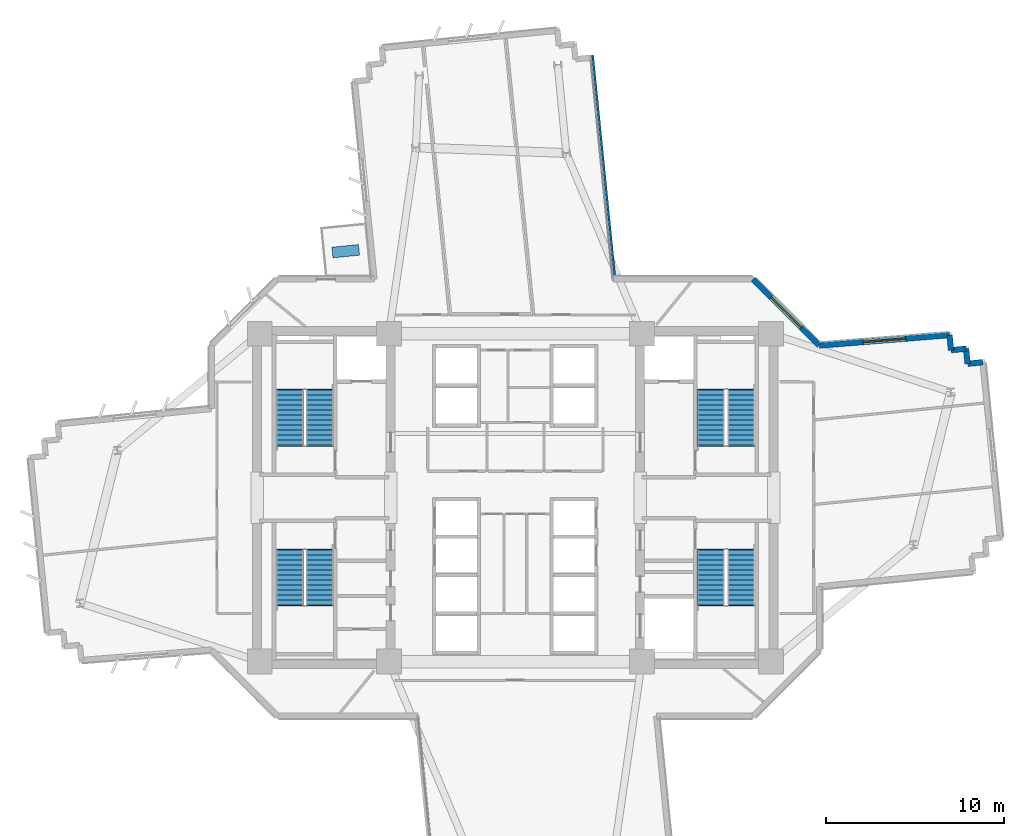
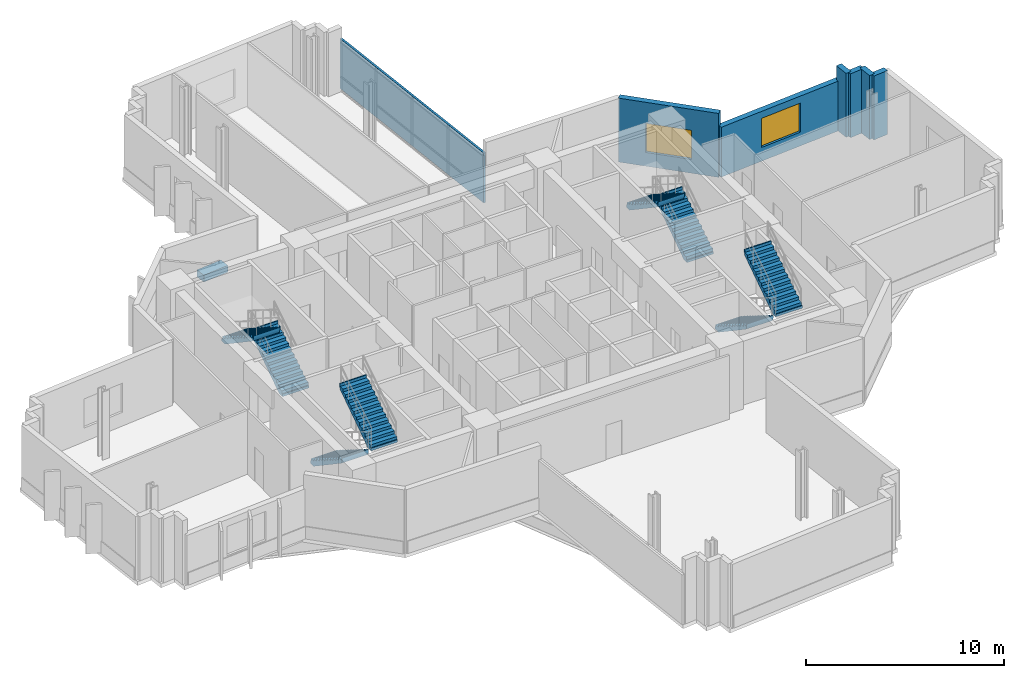
# One storey, part 10 of 14: 8 stair flights, 7 walls, 2 windows, 1 discrete accessory, 2 openings, 4 elements without a shape of their own.
"""IFC4 building model written with IfcOpenShell, lengths in metres."""

import ifcopenshell
import ifcopenshell.guid

model = None  # the IFC model being written
_history = None  # IfcOwnerHistory: only IFC2X3 demands one
_inside = {}  # id of a spatial element -> (the spatial element, [elements in it])
_under = {}  # id of a project, library or spatial element -> (it, [spatial elements below it])
_declared = {}  # id of a project -> (the project, [libraries it declares])
_typed = {}  # id of a type object -> (the type object, [elements of that type])
_made_of = {}  # id of a material, layer set ... -> (it, [elements and type objects made of it])


def new_model(schema):
    """Start an empty IFC model of exactly this schema.

    Asked for "IFC4X3", IfcOpenShell would pick the latest addendum, in which some entities
    have other attributes; the version numbers below select the first issue.
    IFC2X3 requires an IfcOwnerHistory on every rooted entity: one is made here for all.
    """
    global model, _history
    if schema == "IFC4X3":
        model = ifcopenshell.file(schema_version=(4, 3, 0, 0))
    else:
        model = ifcopenshell.file(schema=schema)
    _inside.clear()
    _under.clear()
    _declared.clear()
    _typed.clear()
    _made_of.clear()
    _history = None
    if model.schema == "IFC2X3":
        org = make("IfcOrganization", Name="unknown")
        user = make(
            "IfcPersonAndOrganization",
            ThePerson=make("IfcPerson", FamilyName="unknown"),
            TheOrganization=org,
        )
        app = make(
            "IfcApplication",
            ApplicationDeveloper=org,
            Version="unknown",
            ApplicationFullName="unknown",
            ApplicationIdentifier="unknown",
        )
        _history = make(
            "IfcOwnerHistory",
            OwningUser=user,
            OwningApplication=app,
            ChangeAction="ADDED",
            CreationDate=0,
        )
    return model


def make(cls, **values):
    """One entity of the class cls with the attributes given. An attribute that is None is left unset."""
    return model.create_entity(
        cls, **{name: value for name, value in values.items() if value is not None}
    )


def rooted(cls, **values):
    """An entity with a GlobalId (a new one), such as an element, a storey or a relation."""
    return make(cls, GlobalId=ifcopenshell.guid.new(), OwnerHistory=_history, **values)


def si_unit(unit_type, name, prefix=None):
    """IfcSIUnit, for example si_unit("LENGTHUNIT", "METRE", prefix="MILLI")."""
    return make("IfcSIUnit", UnitType=unit_type, Prefix=prefix, Name=name)


def assignment(units):
    """IfcUnitAssignment: the units of a project."""
    return None if units is None else make("IfcUnitAssignment", Units=units)


def point(xyz):
    """IfcCartesianPoint."""
    return None if xyz is None else make("IfcCartesianPoint", Coordinates=xyz)


def direction(xyz):
    """IfcDirection."""
    return None if xyz is None else make("IfcDirection", DirectionRatios=xyz)


def frame(location, z_axis=None, x_axis=None):
    """IfcAxis2Placement3D, a coordinate frame: its origin and axes. An axis left out is left unset."""
    return make(
        "IfcAxis2Placement3D",
        Location=point(location),
        Axis=direction(z_axis),
        RefDirection=direction(x_axis),
    )


def frame_2d(location, x_axis=None):
    """IfcAxis2Placement2D, a coordinate frame in the plane: its origin and x axis."""
    return make(
        "IfcAxis2Placement2D", Location=point(location), RefDirection=direction(x_axis)
    )


def origin():
    """The frame at (0, 0, 0) with its axes left unset."""
    return frame((0.0, 0.0, 0.0))


def origin_2d():
    """The frame at (0, 0) in the plane with its x axis left unset."""
    return frame_2d((0.0, 0.0))


def place(relative_to, where):
    """IfcLocalPlacement: puts the frame where relative to a parent placement (None: the world)."""
    return make(
        "IfcLocalPlacement", PlacementRelTo=relative_to, RelativePlacement=where
    )


def context(
    kind, dimensions, precision=None, world=None, true_north=None, identifier=None
):
    """IfcGeometricRepresentationContext, for example the 3D "Model" context."""
    return make(
        "IfcGeometricRepresentationContext",
        ContextIdentifier=identifier,
        ContextType=kind,
        CoordinateSpaceDimension=dimensions,
        Precision=precision,
        WorldCoordinateSystem=world,
        TrueNorth=true_north,
    )


def subcontext(parent, identifier, kind, view, scale=None):
    """IfcGeometricRepresentationSubContext, for example "Body" below "Model"."""
    return make(
        "IfcGeometricRepresentationSubContext",
        ContextIdentifier=identifier,
        ContextType=kind,
        ParentContext=parent,
        TargetScale=scale,
        TargetView=view,
    )


def project(units=None, contexts=None):
    """IfcProject with its units and contexts."""
    return rooted(
        "IfcProject",
        Name="project",
        RepresentationContexts=contexts,
        UnitsInContext=assignment(units),
    )


def spatial(cls, under=None, at=None, **own):
    """A site, building, storey or space (cls), placed at a placement, below another one or the project."""
    s = rooted(cls, ObjectPlacement=at, **own)
    if under is not None:
        _under.setdefault(under.id(), (under, []))[1].append(s)
    return s


def polyline(points):
    """IfcPolyline through the points."""
    return make("IfcPolyline", Points=[point(p) for p in points])


def profile(cls, at=None, kind="AREA", **sizes):
    """A parametric profile (cls). Its sizes go by their IFC names, for example OverallWidth=200.0."""
    return make(cls, ProfileType=kind, Position=at, **sizes)


def rectangle(**sizes):
    """IfcRectangleProfileDef."""
    return profile("IfcRectangleProfileDef", **sizes)


def outline(outer, holes=None, kind="AREA"):
    """IfcArbitraryClosedProfileDef: a profile drawn as a closed curve; with holes, ...WithVoids."""
    if holes is None:
        return make("IfcArbitraryClosedProfileDef", ProfileType=kind, OuterCurve=outer)
    return make(
        "IfcArbitraryProfileDefWithVoids",
        ProfileType=kind,
        OuterCurve=outer,
        InnerCurves=holes,
    )


def extrude(swept, where, along, depth):
    """IfcExtrudedAreaSolid: the profile swept, set in the frame where, extruded along a direction by depth."""
    return make(
        "IfcExtrudedAreaSolid",
        SweptArea=swept,
        Position=where,
        ExtrudedDirection=direction(along),
        Depth=depth,
    )


def shape(context_of_items, identifier, shape_type, items):
    """IfcShapeRepresentation: the items that make up one representation, for example the "Body"."""
    return make(
        "IfcShapeRepresentation",
        ContextOfItems=context_of_items,
        RepresentationIdentifier=identifier,
        RepresentationType=shape_type,
        Items=items,
    )


def source(mapping_origin, context_of_items, identifier, shape_type, items):
    """IfcRepresentationMap: a shape defined once, which mapped items show again and again."""
    return make(
        "IfcRepresentationMap",
        MappingOrigin=mapping_origin,
        MappedRepresentation=shape(context_of_items, identifier, shape_type, items),
    )


def transform(
    local_origin,
    x_axis=None,
    y_axis=None,
    z_axis=None,
    scale=None,
    scale2=None,
    scale3=None,
    uniform=True,
):
    """IfcCartesianTransformationOperator3D, or its non-uniform kind. x_axis, y_axis, z_axis: its Axis1, 2, 3."""
    if uniform:
        return make(
            "IfcCartesianTransformationOperator3D",
            Axis1=direction(x_axis),
            Axis2=direction(y_axis),
            LocalOrigin=point(local_origin),
            Scale=scale,
            Axis3=direction(z_axis),
        )
    return make(
        "IfcCartesianTransformationOperator3DnonUniform",
        Axis1=direction(x_axis),
        Axis2=direction(y_axis),
        LocalOrigin=point(local_origin),
        Scale=scale,
        Axis3=direction(z_axis),
        Scale2=scale2,
        Scale3=scale3,
    )


def mapped(mapping_source, mapping_target):
    """IfcMappedItem: shows the shape of a source again, moved by a transform."""
    return make(
        "IfcMappedItem", MappingSource=mapping_source, MappingTarget=mapping_target
    )


def material(Name=None, Category=None):
    """IfcMaterial."""
    return make("IfcMaterial", Name=Name, Category=Category)


def layer(
    of_material, thickness, ventilated=None, Name=None, Category=None, Priority=None
):
    """IfcMaterialLayer: one layer of a wall or slab, of a material (None: an air gap)."""
    return make(
        "IfcMaterialLayer",
        Material=of_material,
        LayerThickness=thickness,
        IsVentilated=ventilated,
        Name=Name,
        Category=Category,
        Priority=Priority,
    )


def layer_set(layers, Name=None):
    """IfcMaterialLayerSet."""
    return make("IfcMaterialLayerSet", MaterialLayers=layers, LayerSetName=Name)


def made_of(thing, what):
    """Note that an element or type object is made of a material, layer set ...; save() writes the relation."""
    if what is not None:
        _made_of.setdefault(what.id(), (what, []))[1].append(thing)
    return thing


def type_object(cls, material=None, **own):
    """A type object (cls), such as IfcWallType, which elements share."""
    return made_of(rooted(cls, **own), material)


def element(
    cls,
    number,
    at=None,
    inside=None,
    cuts=None,
    type_object=None,
    material=None,
    context=None,
    identifier="Body",
    shape_type=None,
    held_by="IfcProductDefinitionShape",
    body=None,
    shapes=None,
    **own,
):
    """One element of the class cls, such as IfcWall. Its Tag is "e" and its number.

    at: its placement. inside: the storey or other place that contains it. cuts: it is an
    opening in that element (IfcRelVoidsElement). A single representation is given by context,
    identifier, shape_type and body (its items); several are given by shapes. held_by: the class
    of the entity that holds the representations. save() writes the other relations.
    """
    e = rooted(cls, Tag="e%d" % number, ObjectPlacement=at, **own)
    if body is not None:
        shapes = [shape(context, identifier, shape_type, body)]
    if shapes is not None:
        e.Representation = make(held_by, Representations=shapes)
    if inside is not None:
        _inside.setdefault(inside.id(), (inside, []))[1].append(e)
    if cuts is not None:
        rooted(
            "IfcRelVoidsElement", RelatingBuildingElement=cuts, RelatedOpeningElement=e
        )
    if type_object is not None:
        _typed.setdefault(type_object.id(), (type_object, []))[1].append(e)
    return made_of(e, material)


def fill(opening, filler):
    """IfcRelFillsElement: the door or window that sits in an opening."""
    return rooted(
        "IfcRelFillsElement",
        RelatingOpeningElement=opening,
        RelatedBuildingElement=filler,
    )


def aggregate(whole, parts):
    """IfcRelAggregates: a whole, such as a stair, and the parts it consists of."""
    return rooted("IfcRelAggregates", RelatingObject=whole, RelatedObjects=parts)


def save(model, path):
    """Write the relations noted so far, then the file.

    IfcRelAggregates (storeys below a building ...), IfcRelContainedInSpatialStructure (elements
    in a storey), IfcRelDefinesByType, IfcRelAssociatesMaterial and IfcRelDeclares: one each for
    every whole, place, type object, material and project.
    """
    for whole, parts in _under.values():
        aggregate(whole, parts)
    for where, things in _inside.values():
        rooted(
            "IfcRelContainedInSpatialStructure",
            RelatedElements=things,
            RelatingStructure=where,
        )
    for kind, things in _typed.values():
        rooted("IfcRelDefinesByType", RelatedObjects=things, RelatingType=kind)
    for what, things in _made_of.values():
        rooted("IfcRelAssociatesMaterial", RelatedObjects=things, RelatingMaterial=what)
    for by, libraries in _declared.values():
        rooted("IfcRelDeclares", RelatingContext=by, RelatedDefinitions=libraries)
    model.write(path)


model = new_model("IFC4")

# Units and contexts
model_context = context("Model", 3, precision=1e-05, world=origin(), true_north=direction((0.0, 1.0)))
body_context = subcontext(model_context, "Body", "Model", "MODEL_VIEW")
ifc_project = project(units=[si_unit("LENGTHUNIT", "METRE"), si_unit("AREAUNIT", "SQUARE_METRE"), si_unit("VOLUMEUNIT", "CUBIC_METRE"), si_unit("PLANEANGLEUNIT", "RADIAN"), si_unit("MASSUNIT", "GRAM", prefix="KILO")], contexts=[model_context])

# Site, building, storey
site_placement = place(None, origin())
site = spatial("IfcSite", under=ifc_project, at=site_placement, CompositionType="ELEMENT")
building_placement = place(site_placement, origin())
building = spatial("IfcBuilding", under=site, at=building_placement, Name="Zahravan Cultural Tower", CompositionType="ELEMENT")
storey_placement = place(building_placement, frame((0.0, 0.0, 96.300048828125)))
storey = spatial("IfcBuildingStorey", under=building, at=storey_placement, Name="L21", CompositionType="ELEMENT", Elevation=96.300048828125)

# Wall, opening, window
ifc_material_1 = material(Name="Precast concrete C40/50", Category="concrete")
ifc_layer_1 = layer(ifc_material_1, 0.320068359375)
ifc_layer_set_1 = layer_set([ifc_layer_1], Name="Precast concrete C40/50")
wall_type_1 = type_object("IfcWallType", Name="EW-TC-320", PredefinedType="SOLIDWALL", material=ifc_layer_set_1)
wall_1_placement = place(storey_placement, frame((49.342041015625, 39.260009765625, 0.0), z_axis=(0.0, 0.0, 1.0), x_axis=(0.707106781187, -0.707106781187, 0.0)))
wall_1 = element("IfcWall", 1, at=wall_1_placement, inside=storey, type_object=wall_type_1, Name="L21 Exterior Masonry Frame Wall 26", PredefinedType="SOLIDWALL", context=body_context, shape_type="SweptSolid", body=[
    extrude(rectangle(XDim=5.258056640625, YDim=0.320068359375, at=frame_2d((2.62890625, 0.0))), origin(), (0.0, 0.0, 1.0), 3.949951171875),
])
opening_1_placement = place(wall_1_placement, frame((1.428955078125, 0.0, 0.85009765625)))
opening_1 = element("IfcOpeningElement", 2, at=opening_1_placement, cuts=wall_1, Name="Opening WN-01", PredefinedType="OPENING", context=body_context, shape_type="SweptSolid", body=[
    extrude(rectangle(XDim=2.39990234375, YDim=1.800048828125, at=frame_2d((1.199951171875, 0.89990234375))), frame((0.0, 0.169921875, 0.0), z_axis=(0.0, -1.0, 0.0), x_axis=(1.0, 0.0, 0.0)), (0.0, 0.0, 1.0), 0.340087890625),
])
ifc_material_2 = material(Name="Low-E solar-control double glazing", Category="glass")
window_type = type_object("IfcWindowType", Name="WN-REC-2400X1800", PartitioningType="DOUBLE_PANEL_VERTICAL", PredefinedType="WINDOW", material=ifc_material_2)
shared_shape_1 = source(origin(), body_context, "Body", "SweptSolid", [
    extrude(rectangle(XDim=2.39990234375, YDim=1.800048828125, at=frame_2d((1.199951171875, 0.89990234375))), frame((0.0, 0.030029296875, 0.0), z_axis=(0.0, -1.0, 0.0), x_axis=(1.0, 0.0, 0.0)), (0.0, 0.0, 1.0), 0.06005859375),
])
window_1_placement = place(opening_1_placement, origin())
window_1 = element("IfcWindow", 3, at=window_1_placement, inside=storey, type_object=window_type, Name="L21 Recessed Solar Window 06", OverallHeight=1.800048828125, OverallWidth=2.39990234375, PartitioningType="DOUBLE_PANEL_VERTICAL", PredefinedType="WINDOW", context=body_context, shape_type="MappedRepresentation", body=[
    mapped(shared_shape_1, transform((0.0, 0.0, 0.0), x_axis=(1.0, 0.0, 0.0), y_axis=(0.0, 1.0, 0.0), z_axis=(0.0, 0.0, 1.0), scale=1.0)),
])
fill(opening_1, window_1)

wall_2_placement = place(storey_placement, frame((53.06005859375, 35.5419921875, 0.0), z_axis=(0.0, 0.0, 1.0), x_axis=(0.996827539556, 0.079591811023, 0.0)))
wall_2 = element("IfcWall", 4, at=wall_2_placement, inside=storey, type_object=wall_type_1, Name="L21 Exterior Masonry Frame Wall 27", PredefinedType="SOLIDWALL", context=body_context, shape_type="SweptSolid", body=[
    extrude(rectangle(XDim=7.337158203125, YDim=0.320068359375, at=frame_2d((3.66845703125, 0.0))), origin(), (0.0, 0.0, 1.0), 3.079833984375),
])
opening_2_placement = place(wall_2_placement, frame((2.468994140625, 0.0, 0.85009765625)))
opening_2 = element("IfcOpeningElement", 5, at=opening_2_placement, cuts=wall_2, Name="Opening WN-01", PredefinedType="OPENING", context=body_context, shape_type="SweptSolid", body=[
    extrude(rectangle(XDim=2.39990234375, YDim=1.800048828125, at=frame_2d((1.199951171875, 0.89990234375))), frame((0.0, 0.169921875, 0.0), z_axis=(0.0, -1.0, 0.0), x_axis=(1.0, 0.0, 0.0)), (0.0, 0.0, 1.0), 0.340087890625),
])
window_2_placement = place(opening_2_placement, origin())
window_2 = element("IfcWindow", 6, at=window_2_placement, inside=storey, type_object=window_type, Name="L21 Recessed Solar Window 07", OverallHeight=1.800048828125, OverallWidth=2.39990234375, PartitioningType="DOUBLE_PANEL_VERTICAL", PredefinedType="WINDOW", context=body_context, shape_type="MappedRepresentation", body=[
    mapped(shared_shape_1, transform((0.0, 0.0, 0.0), x_axis=(1.0, 0.0, 0.0), y_axis=(0.0, 1.0, 0.0), z_axis=(0.0, 0.0, 1.0), scale=1.0)),
])
fill(opening_2, window_2)

# Walls
shared_shape_2 = source(origin(), body_context, "Body", "SweptSolid", [
    extrude(rectangle(XDim=0.849853515625, YDim=0.320068359375, at=frame_2d((0.4248046875, 0.0))), origin(), (0.0, 0.0, 1.0), 3.949951171875),
])
for number, where, z_axis, x_axis, name in (
    (7, (60.3740234375, 36.1259765625, 0.0), (0.0, 0.0, 1.0), (0.09938995433, -0.995048560111, 0.0), "L21 Exterior Masonry Frame Wall 28"),
    (8, (61.304443359375, 35.364501953125, 0.0), (0.0, 0.0, 1.0), (0.09938995433, -0.995048560111, 0.0), "L21 Exterior Masonry Frame Wall 30"),
    (9, (61.388916015625, 34.518798828125, 0.0), (0.0, 0.0, 1.0), (0.995048560111, 0.09938995433, 0.0), "L21 Exterior Masonry Frame Wall 31"),
):
    element("IfcWall", number, at=place(storey_placement, frame(where, z_axis=z_axis, x_axis=x_axis)), inside=storey, type_object=wall_type_1, Name=name, PredefinedType="SOLIDWALL", context=body_context, shape_type="MappedRepresentation", body=[
        mapped(shared_shape_2, transform((0.0, 0.0, 0.0), x_axis=(1.0, 0.0, 0.0), y_axis=(0.0, 1.0, 0.0), z_axis=(0.0, 0.0, 1.0), scale=1.0)),
    ])
shared_shape_3 = source(origin(), body_context, "Body", "SweptSolid", [
    extrude(rectangle(XDim=0.85009765625, YDim=0.320068359375, at=frame_2d((0.425048828125, 0.0))), origin(), (0.0, 0.0, 1.0), 3.949951171875),
])
wall_3_placement = place(storey_placement, frame((60.45849609375, 35.2802734375, 0.0), z_axis=(0.0, 0.0, 1.0), x_axis=(0.995079749343, 0.09907720448, 0.0)))
element("IfcWall", 10, at=wall_3_placement, inside=storey, type_object=wall_type_1, Name="L21 Exterior Masonry Frame Wall 29", PredefinedType="SOLIDWALL", context=body_context, shape_type="MappedRepresentation", body=[
    mapped(shared_shape_3, transform((0.0, 0.0, 0.0), x_axis=(1.0, 0.0, 0.0), y_axis=(0.0, 1.0, 0.0), z_axis=(0.0, 0.0, 1.0), scale=1.0)),
])
ifc_material_3 = material(Name="Gypsum plasterboard partition")
ifc_layer_2 = layer(ifc_material_3, 0.125)
ifc_layer_set_2 = layer_set([ifc_layer_2], Name="Gypsum plasterboard partition")
wall_type_2 = type_object("IfcWallType", Name="W-PART-125", PredefinedType="PARTITIONING", material=ifc_layer_set_2)
shared_shape_4 = source(origin(), body_context, "Body", "SweptSolid", [
    extrude(rectangle(XDim=12.470458984375, YDim=0.125, at=frame_2d((6.2353515625, 0.0))), origin(), (0.0, 0.0, 1.0), 3.079833984375),
])
wall_4_placement = place(storey_placement, frame((40.3349609375, 51.83349609375, 0.0), z_axis=(0.0, 0.0, 1.0), x_axis=(0.099590945301, -0.99502846372, 0.0)))
element("IfcWall", 11, at=wall_4_placement, inside=storey, type_object=wall_type_2, Name="L21 Interior Wall 111", PredefinedType="PARTITIONING", context=body_context, shape_type="MappedRepresentation", body=[
    mapped(shared_shape_4, transform((0.0, 0.0, 0.0), x_axis=(1.0, 0.0, 0.0), y_axis=(0.0, 1.0, 0.0), z_axis=(0.0, 0.0, 1.0), scale=1.0)),
])

# Stair, stair flights
ifc_material_4 = material(Name="Concrete C45/55", Category="concrete")
stair_type = type_object("IfcStairType", Name="STR-DL-1550-420", PredefinedType="HALF_TURN_STAIR", material=ifc_material_4)
stair_1_placement = place(storey_placement, origin())
stair_1 = element("IfcStair", 12, at=stair_1_placement, inside=storey, type_object=stair_type, Name="L21 West Core North Exit Stair ST-W1", PredefinedType="HALF_TURN_STAIR")
stair_flight_type = type_object("IfcStairFlightType", Name="FLG-DL-1550-420", PredefinedType="STRAIGHT", material=ifc_material_4)
stair_flight_1_placement = place(storey_placement, frame((25.02490234375, 29.949951171875, 0.0), z_axis=(0.0, 0.0, 1.0), x_axis=(0.0, 1.0, 0.0)))
stair_flight_1 = element("IfcStairFlight", 13, at=stair_flight_1_placement, type_object=stair_flight_type, Name="ST-W1 flight 1", NumberOfRisers=12, NumberOfTreads=11, PredefinedType="STRAIGHT", RiserHeight=0.175, TreadLength=0.28, context=body_context, shape_type="SweptSolid", body=[
    extrude(outline(polyline([(-0.06494140625, -0.139892578125), (-0.06494140625, 0.0), (0.0, 0.0), (0.0, 0.175048828125), (0.280029296875, 0.175048828125), (0.280029296875, 0.35009765625), (0.56005859375, 0.35009765625), (0.56005859375, 0.52490234375), (0.840087890625, 0.52490234375), (0.840087890625, 0.699951171875), (1.1201171875, 0.699951171875), (1.1201171875, 0.875), (1.39990234375, 0.875), (1.39990234375, 1.050048828125), (1.679931640625, 1.050048828125), (1.679931640625, 1.22509765625), (1.9599609375, 1.22509765625), (1.9599609375, 1.39990234375), (2.239990234375, 1.39990234375), (2.239990234375, 1.574951171875), (2.52001953125, 1.574951171875), (2.52001953125, 1.75), (2.800048828125, 1.75), (2.800048828125, 1.925048828125), (3.080078125, 1.925048828125), (3.080078125, 2.10009765625), (3.14501953125, 2.10009765625), (3.14501953125, 1.9501953125), (3.080078125, 1.748291015625), (0.28271484375, -0.139892578125), (-0.06494140625, -0.139892578125)])), frame((0.0, 0.77490234375, 0.0), z_axis=(0.0, -1.0, 0.0), x_axis=(1.0, 0.0, 0.0)), (0.0, 0.0, 1.0), 1.550048828125),
])
stair_flight_2_placement = place(storey_placement, frame((23.324951171875, 33.030029296875, 2.099853515625), z_axis=(0.0, 0.0, 1.0), x_axis=(0.0, -1.0, 0.0)))
stair_flight_2 = element("IfcStairFlight", 14, at=stair_flight_2_placement, type_object=stair_flight_type, Name="ST-W1 flight 2", NumberOfRisers=12, NumberOfTreads=11, PredefinedType="STRAIGHT", RiserHeight=0.175, TreadLength=0.28, context=body_context, shape_type="SweptSolid", body=[
    extrude(outline(polyline([(-0.06494140625, -0.139892578125), (-0.06494140625, 0.0), (0.0, 0.0), (0.0, 0.175048828125), (0.280029296875, 0.175048828125), (0.280029296875, 0.35009765625), (0.56005859375, 0.35009765625), (0.56005859375, 0.52490234375), (0.840087890625, 0.52490234375), (0.840087890625, 0.699951171875), (1.1201171875, 0.699951171875), (1.1201171875, 0.875), (1.39990234375, 0.875), (1.39990234375, 1.050048828125), (1.679931640625, 1.050048828125), (1.679931640625, 1.22509765625), (1.9599609375, 1.22509765625), (1.9599609375, 1.39990234375), (2.239990234375, 1.39990234375), (2.239990234375, 1.574951171875), (2.52001953125, 1.574951171875), (2.52001953125, 1.75), (2.800048828125, 1.75), (2.800048828125, 1.925048828125), (3.080078125, 1.925048828125), (3.080078125, 2.10009765625), (3.14501953125, 2.10009765625), (3.14501953125, 1.9501953125), (3.080078125, 1.748291015625), (0.28271484375, -0.139892578125), (-0.06494140625, -0.139892578125)])), frame((0.0, 0.77490234375, 0.0), z_axis=(0.0, -1.0, 0.0), x_axis=(1.0, 0.0, 0.0)), (0.0, 0.0, 1.0), 1.550048828125),
])
aggregate(stair_1, [stair_flight_1, stair_flight_2])

stair_2_placement = place(storey_placement, origin())
stair_2 = element("IfcStair", 15, at=stair_2_placement, inside=storey, type_object=stair_type, Name="L21 West Core South Exit Stair ST-W2", PredefinedType="HALF_TURN_STAIR")
stair_flight_3_placement = place(storey_placement, frame((23.324951171875, 24.050048828125, 0.0), z_axis=(0.0, 0.0, 1.0), x_axis=(0.0, -1.0, 0.0)))
stair_flight_3 = element("IfcStairFlight", 16, at=stair_flight_3_placement, type_object=stair_flight_type, Name="ST-W2 flight 1", NumberOfRisers=12, NumberOfTreads=11, PredefinedType="STRAIGHT", RiserHeight=0.175, TreadLength=0.28, context=body_context, shape_type="SweptSolid", body=[
    extrude(outline(polyline([(-0.06494140625, -0.139892578125), (-0.06494140625, 0.0), (0.0, 0.0), (0.0, 0.175048828125), (0.280029296875, 0.175048828125), (0.280029296875, 0.35009765625), (0.56005859375, 0.35009765625), (0.56005859375, 0.52490234375), (0.840087890625, 0.52490234375), (0.840087890625, 0.699951171875), (1.1201171875, 0.699951171875), (1.1201171875, 0.875), (1.39990234375, 0.875), (1.39990234375, 1.050048828125), (1.679931640625, 1.050048828125), (1.679931640625, 1.22509765625), (1.9599609375, 1.22509765625), (1.9599609375, 1.39990234375), (2.239990234375, 1.39990234375), (2.239990234375, 1.574951171875), (2.52001953125, 1.574951171875), (2.52001953125, 1.75), (2.800048828125, 1.75), (2.800048828125, 1.925048828125), (3.080078125, 1.925048828125), (3.080078125, 2.10009765625), (3.14501953125, 2.10009765625), (3.14501953125, 1.9501953125), (3.080078125, 1.748291015625), (0.28271484375, -0.139892578125), (-0.06494140625, -0.139892578125)])), frame((0.0, 0.77490234375, 0.0), z_axis=(0.0, -1.0, 0.0), x_axis=(1.0, 0.0, 0.0)), (0.0, 0.0, 1.0), 1.550048828125),
])
stair_flight_4_placement = place(storey_placement, frame((25.02490234375, 20.969970703125, 2.099853515625), z_axis=(0.0, 0.0, 1.0), x_axis=(0.0, 1.0, 0.0)))
stair_flight_4 = element("IfcStairFlight", 17, at=stair_flight_4_placement, type_object=stair_flight_type, Name="ST-W2 flight 2", NumberOfRisers=12, NumberOfTreads=11, PredefinedType="STRAIGHT", RiserHeight=0.175, TreadLength=0.28, context=body_context, shape_type="SweptSolid", body=[
    extrude(outline(polyline([(-0.06494140625, -0.139892578125), (-0.06494140625, 0.0), (0.0, 0.0), (0.0, 0.175048828125), (0.280029296875, 0.175048828125), (0.280029296875, 0.35009765625), (0.56005859375, 0.35009765625), (0.56005859375, 0.52490234375), (0.840087890625, 0.52490234375), (0.840087890625, 0.699951171875), (1.1201171875, 0.699951171875), (1.1201171875, 0.875), (1.39990234375, 0.875), (1.39990234375, 1.050048828125), (1.679931640625, 1.050048828125), (1.679931640625, 1.22509765625), (1.9599609375, 1.22509765625), (1.9599609375, 1.39990234375), (2.239990234375, 1.39990234375), (2.239990234375, 1.574951171875), (2.52001953125, 1.574951171875), (2.52001953125, 1.75), (2.800048828125, 1.75), (2.800048828125, 1.925048828125), (3.080078125, 1.925048828125), (3.080078125, 2.10009765625), (3.14501953125, 2.10009765625), (3.14501953125, 1.9501953125), (3.080078125, 1.748291015625), (0.28271484375, -0.139892578125), (-0.06494140625, -0.139892578125)])), frame((0.0, 0.77490234375, 0.0), z_axis=(0.0, -1.0, 0.0), x_axis=(1.0, 0.0, 0.0)), (0.0, 0.0, 1.0), 1.550048828125),
])
aggregate(stair_2, [stair_flight_3, stair_flight_4])

stair_3_placement = place(storey_placement, origin())
stair_3 = element("IfcStair", 18, at=stair_3_placement, inside=storey, type_object=stair_type, Name="L21 East Core North Exit Stair ST-E1", PredefinedType="HALF_TURN_STAIR")
stair_flight_5_placement = place(storey_placement, frame((48.675048828125, 29.949951171875, 0.0), z_axis=(0.0, 0.0, 1.0), x_axis=(0.0, 1.0, 0.0)))
stair_flight_5 = element("IfcStairFlight", 19, at=stair_flight_5_placement, type_object=stair_flight_type, Name="ST-E1 flight 1", NumberOfRisers=12, NumberOfTreads=11, PredefinedType="STRAIGHT", RiserHeight=0.175, TreadLength=0.28, context=body_context, shape_type="SweptSolid", body=[
    extrude(outline(polyline([(-0.06494140625, -0.139892578125), (-0.06494140625, 0.0), (0.0, 0.0), (0.0, 0.175048828125), (0.280029296875, 0.175048828125), (0.280029296875, 0.35009765625), (0.56005859375, 0.35009765625), (0.56005859375, 0.52490234375), (0.840087890625, 0.52490234375), (0.840087890625, 0.699951171875), (1.1201171875, 0.699951171875), (1.1201171875, 0.875), (1.39990234375, 0.875), (1.39990234375, 1.050048828125), (1.679931640625, 1.050048828125), (1.679931640625, 1.22509765625), (1.9599609375, 1.22509765625), (1.9599609375, 1.39990234375), (2.239990234375, 1.39990234375), (2.239990234375, 1.574951171875), (2.52001953125, 1.574951171875), (2.52001953125, 1.75), (2.800048828125, 1.75), (2.800048828125, 1.925048828125), (3.080078125, 1.925048828125), (3.080078125, 2.10009765625), (3.14501953125, 2.10009765625), (3.14501953125, 1.9501953125), (3.080078125, 1.748291015625), (0.28271484375, -0.139892578125), (-0.06494140625, -0.139892578125)])), frame((0.0, 0.77490234375, 0.0), z_axis=(0.0, -1.0, 0.0), x_axis=(1.0, 0.0, 0.0)), (0.0, 0.0, 1.0), 1.550048828125),
])
stair_flight_6_placement = place(storey_placement, frame((46.97509765625, 33.030029296875, 2.099853515625), z_axis=(0.0, 0.0, 1.0), x_axis=(0.0, -1.0, 0.0)))
stair_flight_6 = element("IfcStairFlight", 20, at=stair_flight_6_placement, type_object=stair_flight_type, Name="ST-E1 flight 2", NumberOfRisers=12, NumberOfTreads=11, PredefinedType="STRAIGHT", RiserHeight=0.175, TreadLength=0.28, context=body_context, shape_type="SweptSolid", body=[
    extrude(outline(polyline([(-0.06494140625, -0.139892578125), (-0.06494140625, 0.0), (0.0, 0.0), (0.0, 0.175048828125), (0.280029296875, 0.175048828125), (0.280029296875, 0.35009765625), (0.56005859375, 0.35009765625), (0.56005859375, 0.52490234375), (0.840087890625, 0.52490234375), (0.840087890625, 0.699951171875), (1.1201171875, 0.699951171875), (1.1201171875, 0.875), (1.39990234375, 0.875), (1.39990234375, 1.050048828125), (1.679931640625, 1.050048828125), (1.679931640625, 1.22509765625), (1.9599609375, 1.22509765625), (1.9599609375, 1.39990234375), (2.239990234375, 1.39990234375), (2.239990234375, 1.574951171875), (2.52001953125, 1.574951171875), (2.52001953125, 1.75), (2.800048828125, 1.75), (2.800048828125, 1.925048828125), (3.080078125, 1.925048828125), (3.080078125, 2.10009765625), (3.14501953125, 2.10009765625), (3.14501953125, 1.9501953125), (3.080078125, 1.748291015625), (0.28271484375, -0.139892578125), (-0.06494140625, -0.139892578125)])), frame((0.0, 0.77490234375, 0.0), z_axis=(0.0, -1.0, 0.0), x_axis=(1.0, 0.0, 0.0)), (0.0, 0.0, 1.0), 1.550048828125),
])
aggregate(stair_3, [stair_flight_5, stair_flight_6])

stair_4_placement = place(storey_placement, origin())
stair_4 = element("IfcStair", 21, at=stair_4_placement, inside=storey, type_object=stair_type, Name="L21 East Core South Exit Stair ST-E2", PredefinedType="HALF_TURN_STAIR")
stair_flight_7_placement = place(storey_placement, frame((46.97509765625, 24.050048828125, 0.0), z_axis=(0.0, 0.0, 1.0), x_axis=(0.0, -1.0, 0.0)))
stair_flight_7 = element("IfcStairFlight", 22, at=stair_flight_7_placement, type_object=stair_flight_type, Name="ST-E2 flight 1", NumberOfRisers=12, NumberOfTreads=11, PredefinedType="STRAIGHT", RiserHeight=0.175, TreadLength=0.28, context=body_context, shape_type="SweptSolid", body=[
    extrude(outline(polyline([(-0.06494140625, -0.139892578125), (-0.06494140625, 0.0), (0.0, 0.0), (0.0, 0.175048828125), (0.280029296875, 0.175048828125), (0.280029296875, 0.35009765625), (0.56005859375, 0.35009765625), (0.56005859375, 0.52490234375), (0.840087890625, 0.52490234375), (0.840087890625, 0.699951171875), (1.1201171875, 0.699951171875), (1.1201171875, 0.875), (1.39990234375, 0.875), (1.39990234375, 1.050048828125), (1.679931640625, 1.050048828125), (1.679931640625, 1.22509765625), (1.9599609375, 1.22509765625), (1.9599609375, 1.39990234375), (2.239990234375, 1.39990234375), (2.239990234375, 1.574951171875), (2.52001953125, 1.574951171875), (2.52001953125, 1.75), (2.800048828125, 1.75), (2.800048828125, 1.925048828125), (3.080078125, 1.925048828125), (3.080078125, 2.10009765625), (3.14501953125, 2.10009765625), (3.14501953125, 1.9501953125), (3.080078125, 1.748291015625), (0.28271484375, -0.139892578125), (-0.06494140625, -0.139892578125)])), frame((0.0, 0.77490234375, 0.0), z_axis=(0.0, -1.0, 0.0), x_axis=(1.0, 0.0, 0.0)), (0.0, 0.0, 1.0), 1.550048828125),
])
stair_flight_8_placement = place(storey_placement, frame((48.675048828125, 20.969970703125, 2.099853515625), z_axis=(0.0, 0.0, 1.0), x_axis=(0.0, 1.0, 0.0)))
stair_flight_8 = element("IfcStairFlight", 23, at=stair_flight_8_placement, type_object=stair_flight_type, Name="ST-E2 flight 2", NumberOfRisers=12, NumberOfTreads=11, PredefinedType="STRAIGHT", RiserHeight=0.175, TreadLength=0.28, context=body_context, shape_type="SweptSolid", body=[
    extrude(outline(polyline([(-0.06494140625, -0.139892578125), (-0.06494140625, 0.0), (0.0, 0.0), (0.0, 0.175048828125), (0.280029296875, 0.175048828125), (0.280029296875, 0.35009765625), (0.56005859375, 0.35009765625), (0.56005859375, 0.52490234375), (0.840087890625, 0.52490234375), (0.840087890625, 0.699951171875), (1.1201171875, 0.699951171875), (1.1201171875, 0.875), (1.39990234375, 0.875), (1.39990234375, 1.050048828125), (1.679931640625, 1.050048828125), (1.679931640625, 1.22509765625), (1.9599609375, 1.22509765625), (1.9599609375, 1.39990234375), (2.239990234375, 1.39990234375), (2.239990234375, 1.574951171875), (2.52001953125, 1.574951171875), (2.52001953125, 1.75), (2.800048828125, 1.75), (2.800048828125, 1.925048828125), (3.080078125, 1.925048828125), (3.080078125, 2.10009765625), (3.14501953125, 2.10009765625), (3.14501953125, 1.9501953125), (3.080078125, 1.748291015625), (0.28271484375, -0.139892578125), (-0.06494140625, -0.139892578125)])), frame((0.0, 0.77490234375, 0.0), z_axis=(0.0, -1.0, 0.0), x_axis=(1.0, 0.0, 0.0)), (0.0, 0.0, 1.0), 1.550048828125),
])
aggregate(stair_4, [stair_flight_7, stair_flight_8])

# Discrete accessory
ifc_material_5 = material(Name="Planted soil and terracotta planter", Category="masonry")
discrete_accessory_type = type_object("IfcDiscreteAccessoryType", Name="ACC-PLANTER-TC", PredefinedType="USERDEFINED", material=ifc_material_5)
shared_shape_5 = source(origin(), body_context, "Body", "SweptSolid", [
    extrude(rectangle(XDim=1.5, YDim=0.60009765625, at=origin_2d()), origin(), (0.0, 0.0, 1.0), 0.419921875),
])
discrete_accessory_placement = place(storey_placement, frame((26.476318359375, 40.834716796875, 0.0), z_axis=(0.0, 0.0, 1.0), x_axis=(0.995055569961, 0.099319749744, 0.0)))
element("IfcDiscreteAccessory", 24, at=discrete_accessory_placement, inside=storey, type_object=discrete_accessory_type, Name="L21 Terracotta Sculpture Planter NW", ObjectType="PLANTER", PredefinedType="USERDEFINED", context=body_context, shape_type="MappedRepresentation", body=[
    mapped(shared_shape_5, transform((0.0, 0.0, 0.0), x_axis=(1.0, 0.0, 0.0), y_axis=(0.0, 1.0, 0.0), z_axis=(0.0, 0.0, 1.0), scale=1.0)),
])

save(model, "model.ifc")
